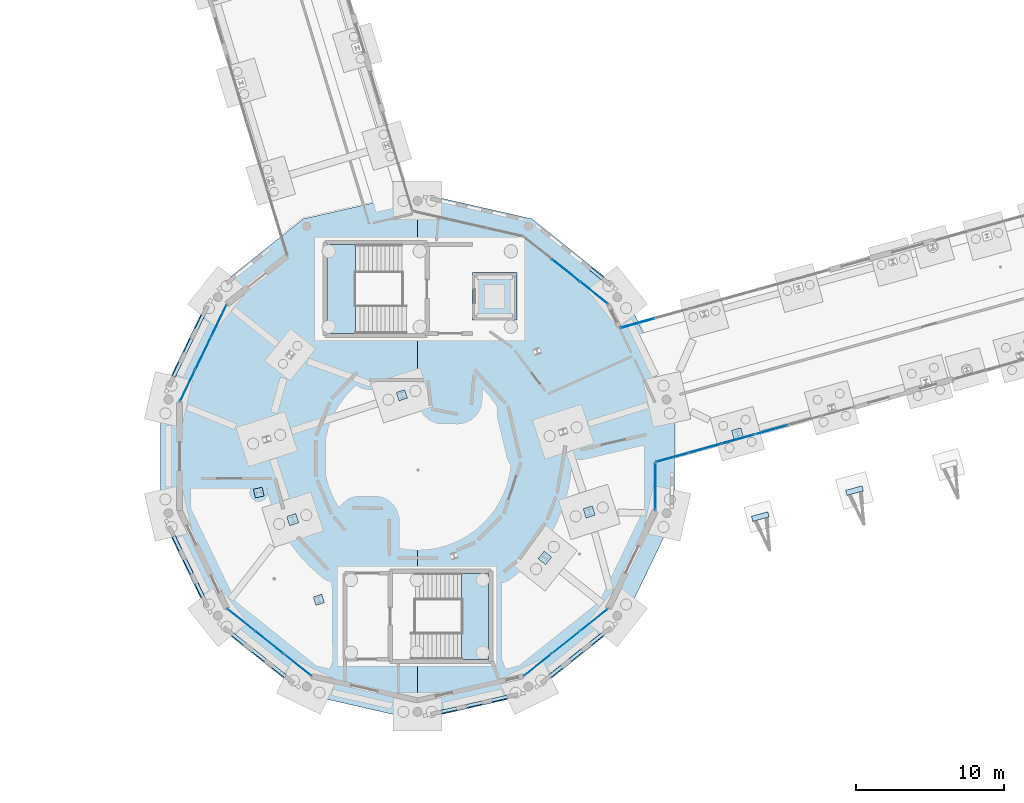
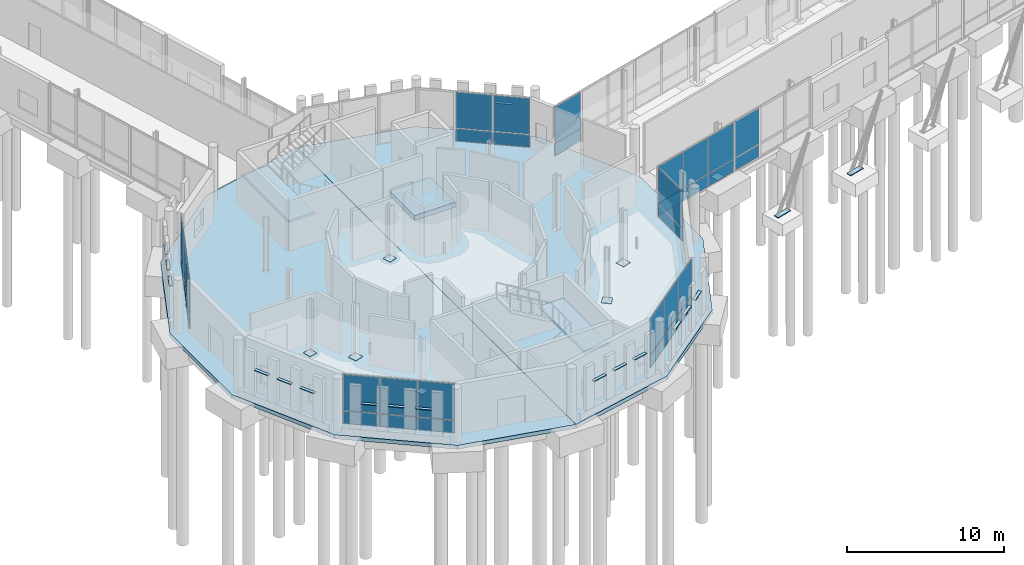
# One storey, part 63 of 113: 59 plates, 5 slabs, 10 elements without a shape of their own.
"""IFC4 building model written with IfcOpenShell, lengths in metres."""

import ifcopenshell
import ifcopenshell.guid

model = None  # the IFC model being written
_history = None  # IfcOwnerHistory: only IFC2X3 demands one
_inside = {}  # id of a spatial element -> (the spatial element, [elements in it])
_under = {}  # id of a project, library or spatial element -> (it, [spatial elements below it])
_declared = {}  # id of a project -> (the project, [libraries it declares])
_typed = {}  # id of a type object -> (the type object, [elements of that type])
_made_of = {}  # id of a material, layer set ... -> (it, [elements and type objects made of it])


def new_model(schema):
    """Start an empty IFC model of exactly this schema.

    Asked for "IFC4X3", IfcOpenShell would pick the latest addendum, in which some entities
    have other attributes; the version numbers below select the first issue.
    IFC2X3 requires an IfcOwnerHistory on every rooted entity: one is made here for all.
    """
    global model, _history
    if schema == "IFC4X3":
        model = ifcopenshell.file(schema_version=(4, 3, 0, 0))
    else:
        model = ifcopenshell.file(schema=schema)
    _inside.clear()
    _under.clear()
    _declared.clear()
    _typed.clear()
    _made_of.clear()
    _history = None
    if model.schema == "IFC2X3":
        org = make("IfcOrganization", Name="unknown")
        user = make(
            "IfcPersonAndOrganization",
            ThePerson=make("IfcPerson", FamilyName="unknown"),
            TheOrganization=org,
        )
        app = make(
            "IfcApplication",
            ApplicationDeveloper=org,
            Version="unknown",
            ApplicationFullName="unknown",
            ApplicationIdentifier="unknown",
        )
        _history = make(
            "IfcOwnerHistory",
            OwningUser=user,
            OwningApplication=app,
            ChangeAction="ADDED",
            CreationDate=0,
        )
    return model


def make(cls, **values):
    """One entity of the class cls with the attributes given. An attribute that is None is left unset."""
    return model.create_entity(
        cls, **{name: value for name, value in values.items() if value is not None}
    )


def rooted(cls, **values):
    """An entity with a GlobalId (a new one), such as an element, a storey or a relation."""
    return make(cls, GlobalId=ifcopenshell.guid.new(), OwnerHistory=_history, **values)


def si_unit(unit_type, name, prefix=None):
    """IfcSIUnit, for example si_unit("LENGTHUNIT", "METRE", prefix="MILLI")."""
    return make("IfcSIUnit", UnitType=unit_type, Prefix=prefix, Name=name)


def assignment(units):
    """IfcUnitAssignment: the units of a project."""
    return None if units is None else make("IfcUnitAssignment", Units=units)


def point(xyz):
    """IfcCartesianPoint."""
    return None if xyz is None else make("IfcCartesianPoint", Coordinates=xyz)


def direction(xyz):
    """IfcDirection."""
    return None if xyz is None else make("IfcDirection", DirectionRatios=xyz)


def frame(location, z_axis=None, x_axis=None):
    """IfcAxis2Placement3D, a coordinate frame: its origin and axes. An axis left out is left unset."""
    return make(
        "IfcAxis2Placement3D",
        Location=point(location),
        Axis=direction(z_axis),
        RefDirection=direction(x_axis),
    )


def frame_2d(location, x_axis=None):
    """IfcAxis2Placement2D, a coordinate frame in the plane: its origin and x axis."""
    return make(
        "IfcAxis2Placement2D", Location=point(location), RefDirection=direction(x_axis)
    )


def origin():
    """The frame at (0, 0, 0) with its axes left unset."""
    return frame((0.0, 0.0, 0.0))


def origin_2d():
    """The frame at (0, 0) in the plane with its x axis left unset."""
    return frame_2d((0.0, 0.0))


def place(relative_to, where):
    """IfcLocalPlacement: puts the frame where relative to a parent placement (None: the world)."""
    return make(
        "IfcLocalPlacement", PlacementRelTo=relative_to, RelativePlacement=where
    )


def context(
    kind, dimensions, precision=None, world=None, true_north=None, identifier=None
):
    """IfcGeometricRepresentationContext, for example the 3D "Model" context."""
    return make(
        "IfcGeometricRepresentationContext",
        ContextIdentifier=identifier,
        ContextType=kind,
        CoordinateSpaceDimension=dimensions,
        Precision=precision,
        WorldCoordinateSystem=world,
        TrueNorth=true_north,
    )


def subcontext(parent, identifier, kind, view, scale=None):
    """IfcGeometricRepresentationSubContext, for example "Body" below "Model"."""
    return make(
        "IfcGeometricRepresentationSubContext",
        ContextIdentifier=identifier,
        ContextType=kind,
        ParentContext=parent,
        TargetScale=scale,
        TargetView=view,
    )


def project(units=None, contexts=None):
    """IfcProject with its units and contexts."""
    return rooted(
        "IfcProject",
        Name="project",
        RepresentationContexts=contexts,
        UnitsInContext=assignment(units),
    )


def spatial(cls, under=None, at=None, **own):
    """A site, building, storey or space (cls), placed at a placement, below another one or the project."""
    s = rooted(cls, ObjectPlacement=at, **own)
    if under is not None:
        _under.setdefault(under.id(), (under, []))[1].append(s)
    return s


def polyline(points):
    """IfcPolyline through the points."""
    return make("IfcPolyline", Points=[point(p) for p in points])


def profile(cls, at=None, kind="AREA", **sizes):
    """A parametric profile (cls). Its sizes go by their IFC names, for example OverallWidth=200.0."""
    return make(cls, ProfileType=kind, Position=at, **sizes)


def rectangle(**sizes):
    """IfcRectangleProfileDef."""
    return profile("IfcRectangleProfileDef", **sizes)


def outline(outer, holes=None, kind="AREA"):
    """IfcArbitraryClosedProfileDef: a profile drawn as a closed curve; with holes, ...WithVoids."""
    if holes is None:
        return make("IfcArbitraryClosedProfileDef", ProfileType=kind, OuterCurve=outer)
    return make(
        "IfcArbitraryProfileDefWithVoids",
        ProfileType=kind,
        OuterCurve=outer,
        InnerCurves=holes,
    )


def extrude(swept, where, along, depth):
    """IfcExtrudedAreaSolid: the profile swept, set in the frame where, extruded along a direction by depth."""
    return make(
        "IfcExtrudedAreaSolid",
        SweptArea=swept,
        Position=where,
        ExtrudedDirection=direction(along),
        Depth=depth,
    )


def shape(context_of_items, identifier, shape_type, items):
    """IfcShapeRepresentation: the items that make up one representation, for example the "Body"."""
    return make(
        "IfcShapeRepresentation",
        ContextOfItems=context_of_items,
        RepresentationIdentifier=identifier,
        RepresentationType=shape_type,
        Items=items,
    )


def material(Name=None, Category=None):
    """IfcMaterial."""
    return make("IfcMaterial", Name=Name, Category=Category)


def layer(
    of_material, thickness, ventilated=None, Name=None, Category=None, Priority=None
):
    """IfcMaterialLayer: one layer of a wall or slab, of a material (None: an air gap)."""
    return make(
        "IfcMaterialLayer",
        Material=of_material,
        LayerThickness=thickness,
        IsVentilated=ventilated,
        Name=Name,
        Category=Category,
        Priority=Priority,
    )


def layer_set(layers, Name=None):
    """IfcMaterialLayerSet."""
    return make("IfcMaterialLayerSet", MaterialLayers=layers, LayerSetName=Name)


def made_of(thing, what):
    """Note that an element or type object is made of a material, layer set ...; save() writes the relation."""
    if what is not None:
        _made_of.setdefault(what.id(), (what, []))[1].append(thing)
    return thing


def type_object(cls, material=None, **own):
    """A type object (cls), such as IfcWallType, which elements share."""
    return made_of(rooted(cls, **own), material)


def element(
    cls,
    number,
    at=None,
    inside=None,
    cuts=None,
    type_object=None,
    material=None,
    context=None,
    identifier="Body",
    shape_type=None,
    held_by="IfcProductDefinitionShape",
    body=None,
    shapes=None,
    **own,
):
    """One element of the class cls, such as IfcWall. Its Tag is "e" and its number.

    at: its placement. inside: the storey or other place that contains it. cuts: it is an
    opening in that element (IfcRelVoidsElement). A single representation is given by context,
    identifier, shape_type and body (its items); several are given by shapes. held_by: the class
    of the entity that holds the representations. save() writes the other relations.
    """
    e = rooted(cls, Tag="e%d" % number, ObjectPlacement=at, **own)
    if body is not None:
        shapes = [shape(context, identifier, shape_type, body)]
    if shapes is not None:
        e.Representation = make(held_by, Representations=shapes)
    if inside is not None:
        _inside.setdefault(inside.id(), (inside, []))[1].append(e)
    if cuts is not None:
        rooted(
            "IfcRelVoidsElement", RelatingBuildingElement=cuts, RelatedOpeningElement=e
        )
    if type_object is not None:
        _typed.setdefault(type_object.id(), (type_object, []))[1].append(e)
    return made_of(e, material)


def aggregate(whole, parts):
    """IfcRelAggregates: a whole, such as a stair, and the parts it consists of."""
    return rooted("IfcRelAggregates", RelatingObject=whole, RelatedObjects=parts)


def save(model, path):
    """Write the relations noted so far, then the file.

    IfcRelAggregates (storeys below a building ...), IfcRelContainedInSpatialStructure (elements
    in a storey), IfcRelDefinesByType, IfcRelAssociatesMaterial and IfcRelDeclares: one each for
    every whole, place, type object, material and project.
    """
    for whole, parts in _under.values():
        aggregate(whole, parts)
    for where, things in _inside.values():
        rooted(
            "IfcRelContainedInSpatialStructure",
            RelatedElements=things,
            RelatingStructure=where,
        )
    for kind, things in _typed.values():
        rooted("IfcRelDefinesByType", RelatedObjects=things, RelatingType=kind)
    for what, things in _made_of.values():
        rooted("IfcRelAssociatesMaterial", RelatedObjects=things, RelatingMaterial=what)
    for by, libraries in _declared.values():
        rooted("IfcRelDeclares", RelatingContext=by, RelatedDefinitions=libraries)
    model.write(path)


model = new_model("IFC4")

# Units and contexts
model_context = context("Model", 3, precision=1e-05, world=origin(), true_north=direction((0.0, 1.0)))
body_context = subcontext(model_context, "Body", "Model", "MODEL_VIEW")
ifc_project = project(units=[si_unit("LENGTHUNIT", "METRE"), si_unit("AREAUNIT", "SQUARE_METRE"), si_unit("VOLUMEUNIT", "CUBIC_METRE"), si_unit("PLANEANGLEUNIT", "RADIAN"), si_unit("MASSUNIT", "GRAM", prefix="KILO")], contexts=[model_context])

# Site, building, storey
site_placement = place(None, origin())
site = spatial("IfcSite", under=ifc_project, at=site_placement, CompositionType="ELEMENT")
building_placement = place(site_placement, origin())
building = spatial("IfcBuilding", under=site, at=building_placement, Name="Wrenclough Park School", CompositionType="ELEMENT")
storey_placement = place(building_placement, origin())
storey = spatial("IfcBuildingStorey", under=building, at=storey_placement, Name="L00", CompositionType="ELEMENT", Elevation=0.0)

# Curtain wall, plates
ifc_material_1 = material(Name="Thermally broken aluminium and low-e glass curtain wall", Category="aluminium")
curtain_wall_type_1 = type_object("IfcCurtainWallType", Name="ENV-CW-13", PredefinedType="USERDEFINED", material=ifc_material_1)
curtain_wall_1_placement = place(storey_placement, origin())
curtain_wall_1 = element("IfcCurtainWall", 1, at=curtain_wall_1_placement, inside=storey, type_object=curtain_wall_type_1, Name="L00 recessed curtain wall assembly 044", ObjectType="CURTAIN WALL", PredefinedType="USERDEFINED")
ifc_material_2 = material(Name="Double-glazed solar-control low-e glass", Category="glass")
ifc_layer_1 = layer(ifc_material_2, 0.02587890625)
ifc_layer_set_1 = layer_set([ifc_layer_1], Name="Double-glazed solar-control low-e glass")
plate_type_1 = type_object("IfcPlateType", Name="ENV-CWP-GL26", PredefinedType="CURTAIN_PANEL", material=ifc_layer_set_1)
plate_1_placement = place(storey_placement, frame((48.410888671875, 12.4521484375, 0.06982421875), z_axis=(0.0, 0.0, 1.0), x_axis=(-0.781836181091, -0.623483909926, 0.0)))
plate_1 = element("IfcPlate", 2, at=plate_1_placement, type_object=plate_type_1, Name="CW-13 panel 1.1", PredefinedType="CURTAIN_PANEL", context=body_context, shape_type="SweptSolid", body=[
    extrude(rectangle(XDim=2.336669921875, YDim=0.02587890625, at=origin_2d()), origin(), (0.0, 0.0, 1.0), 0.945068359375),
])
plate_2_placement = place(storey_placement, frame((48.410888671875, 12.4521484375, 1.0849609375), z_axis=(0.0, 0.0, 1.0), x_axis=(-0.781836181091, -0.623483909926, 0.0)))
plate_2 = element("IfcPlate", 3, at=plate_2_placement, type_object=plate_type_1, Name="CW-13 panel 1.2", PredefinedType="CURTAIN_PANEL", context=body_context, shape_type="SweptSolid", body=[
    extrude(rectangle(XDim=2.336669921875, YDim=0.02587890625, at=origin_2d()), origin(), (0.0, 0.0, 1.0), 2.784912109375),
])
plate_3_placement = place(storey_placement, frame((46.515625, 10.940673828125, 0.06982421875), z_axis=(0.0, 0.0, 1.0), x_axis=(-0.781836181091, -0.623483909926, 0.0)))
plate_3 = element("IfcPlate", 4, at=plate_3_placement, type_object=plate_type_1, Name="CW-13 panel 2.1", PredefinedType="CURTAIN_PANEL", context=body_context, shape_type="SweptSolid", body=[
    extrude(rectangle(XDim=2.37158203125, YDim=0.02587890625, at=origin_2d()), origin(), (0.0, 0.0, 1.0), 0.945068359375),
])
plate_4_placement = place(storey_placement, frame((46.515625, 10.940673828125, 1.0849609375), z_axis=(0.0, 0.0, 1.0), x_axis=(-0.781836181091, -0.623483909926, 0.0)))
plate_4 = element("IfcPlate", 5, at=plate_4_placement, type_object=plate_type_1, Name="CW-13 panel 2.2", PredefinedType="CURTAIN_PANEL", context=body_context, shape_type="SweptSolid", body=[
    extrude(rectangle(XDim=2.37158203125, YDim=0.02587890625, at=origin_2d()), origin(), (0.0, 0.0, 1.0), 2.784912109375),
])
plate_5_placement = place(storey_placement, frame((44.620361328125, 9.429443359375, 0.06982421875), z_axis=(0.0, 0.0, 1.0), x_axis=(-0.781836181091, -0.623483909926, 0.0)))
plate_5 = element("IfcPlate", 6, at=plate_5_placement, type_object=plate_type_1, Name="CW-13 panel 3.1", PredefinedType="CURTAIN_PANEL", context=body_context, shape_type="SweptSolid", body=[
    extrude(rectangle(XDim=2.336669921875, YDim=0.02587890625, at=origin_2d()), origin(), (0.0, 0.0, 1.0), 0.945068359375),
])
plate_6_placement = place(storey_placement, frame((44.620361328125, 9.429443359375, 1.0849609375), z_axis=(0.0, 0.0, 1.0), x_axis=(-0.781836181091, -0.623483909926, 0.0)))
plate_6 = element("IfcPlate", 7, at=plate_6_placement, type_object=plate_type_1, Name="CW-13 panel 3.2", PredefinedType="CURTAIN_PANEL", context=body_context, shape_type="SweptSolid", body=[
    extrude(rectangle(XDim=2.336669921875, YDim=0.02587890625, at=origin_2d()), origin(), (0.0, 0.0, 1.0), 2.784912109375),
])
aggregate(curtain_wall_1, [plate_1, plate_2, plate_3, plate_4, plate_5, plate_6])

curtain_wall_type_2 = type_object("IfcCurtainWallType", Name="ENV-CW-02", PredefinedType="USERDEFINED", material=ifc_material_1)
curtain_wall_2_placement = place(storey_placement, origin())
curtain_wall_2 = element("IfcCurtainWall", 8, at=curtain_wall_2_placement, inside=storey, type_object=curtain_wall_type_2, Name="L00 recessed curtain wall assembly 001", ObjectType="CURTAIN WALL", PredefinedType="USERDEFINED")
ifc_material_3 = material(Name="Double-glazed acoustic low-e glass", Category="glass")
ifc_layer_2 = layer(ifc_material_3, 0.030029296875)
ifc_layer_set_2 = layer_set([ifc_layer_2], Name="Double-glazed acoustic low-e glass")
plate_type_2 = type_object("IfcPlateType", Name="ENV-CWP-GL30", PredefinedType="CURTAIN_PANEL", material=ifc_layer_set_2)
plate_7_placement = place(storey_placement, frame((28.380615234375, 9.4287109375, 0.06494140625), z_axis=(0.0, 0.0, 1.0), x_axis=(-0.781824218903, 0.623498909972, 0.0)))
plate_7 = element("IfcPlate", 9, at=plate_7_placement, type_object=plate_type_2, Name="CW-02 panel 1.1", PredefinedType="CURTAIN_PANEL", context=body_context, shape_type="SweptSolid", body=[
    extrude(rectangle(XDim=2.343994140625, YDim=0.030029296875, at=origin_2d()), origin(), (0.0, 0.0, 1.0), 0.952392578125),
])
plate_8_placement = place(storey_placement, frame((28.380615234375, 9.4287109375, 1.08251953125), z_axis=(0.0, 0.0, 1.0), x_axis=(-0.781824218903, 0.623498909972, 0.0)))
plate_8 = element("IfcPlate", 10, at=plate_8_placement, type_object=plate_type_2, Name="CW-02 panel 1.2", PredefinedType="CURTAIN_PANEL", context=body_context, shape_type="SweptSolid", body=[
    extrude(rectangle(XDim=2.343994140625, YDim=0.030029296875, at=origin_2d()), origin(), (0.0, 0.0, 1.0), 2.79248046875),
])
plate_9_placement = place(storey_placement, frame((26.484375, 10.94091796875, 0.06494140625), z_axis=(0.0, 0.0, 1.0), x_axis=(-0.781824218903, 0.623498909972, 0.0)))
plate_9 = element("IfcPlate", 11, at=plate_9_placement, type_object=plate_type_2, Name="CW-02 panel 2.1", PredefinedType="CURTAIN_PANEL", context=body_context, shape_type="SweptSolid", body=[
    extrude(rectangle(XDim=2.376708984375, YDim=0.030029296875, at=origin_2d()), origin(), (0.0, 0.0, 1.0), 0.952392578125),
])
plate_10_placement = place(storey_placement, frame((26.484375, 10.94091796875, 1.08251953125), z_axis=(0.0, 0.0, 1.0), x_axis=(-0.781824218903, 0.623498909972, 0.0)))
plate_10 = element("IfcPlate", 12, at=plate_10_placement, type_object=plate_type_2, Name="CW-02 panel 2.2", PredefinedType="CURTAIN_PANEL", context=body_context, shape_type="SweptSolid", body=[
    extrude(rectangle(XDim=2.376708984375, YDim=0.030029296875, at=origin_2d()), origin(), (0.0, 0.0, 1.0), 2.79248046875),
])
plate_11_placement = place(storey_placement, frame((24.588134765625, 12.452880859375, 0.06494140625), z_axis=(0.0, 0.0, 1.0), x_axis=(-0.781824218903, 0.623498909972, 0.0)))
plate_11 = element("IfcPlate", 13, at=plate_11_placement, type_object=plate_type_2, Name="CW-02 panel 3.1", PredefinedType="CURTAIN_PANEL", context=body_context, shape_type="SweptSolid", body=[
    extrude(rectangle(XDim=2.343994140625, YDim=0.030029296875, at=origin_2d()), origin(), (0.0, 0.0, 1.0), 0.952392578125),
])
plate_12_placement = place(storey_placement, frame((24.588134765625, 12.452880859375, 1.08251953125), z_axis=(0.0, 0.0, 1.0), x_axis=(-0.781824218903, 0.623498909972, 0.0)))
plate_12 = element("IfcPlate", 14, at=plate_12_placement, type_object=plate_type_2, Name="CW-02 panel 3.2", PredefinedType="CURTAIN_PANEL", context=body_context, shape_type="SweptSolid", body=[
    extrude(rectangle(XDim=2.343994140625, YDim=0.030029296875, at=origin_2d()), origin(), (0.0, 0.0, 1.0), 2.79248046875),
])
aggregate(curtain_wall_2, [plate_7, plate_8, plate_9, plate_10, plate_11, plate_12])

curtain_wall_type_3 = type_object("IfcCurtainWallType", Name="ENV-CW-10", PredefinedType="USERDEFINED", material=ifc_material_1)
curtain_wall_3_placement = place(storey_placement, origin())
curtain_wall_3 = element("IfcCurtainWall", 15, at=curtain_wall_3_placement, inside=storey, type_object=curtain_wall_type_3, Name="L00 recessed curtain wall assembly 041", ObjectType="CURTAIN WALL", PredefinedType="USERDEFINED")
plate_13_placement = place(storey_placement, frame((60.394775390625, 25.291259765625, 0.06982421875), z_axis=(0.0, 0.0, 1.0), x_axis=(-0.963399766486, -0.268068815671, 0.0)))
plate_13 = element("IfcPlate", 16, at=plate_13_placement, type_object=plate_type_2, Name="CW-10 panel 3.1", PredefinedType="CURTAIN_PANEL", context=body_context, shape_type="SweptSolid", body=[
    extrude(rectangle(XDim=2.208984375, YDim=0.030029296875, at=origin_2d()), origin(), (0.0, 0.0, 1.0), 0.945068359375),
])
plate_14_placement = place(storey_placement, frame((60.394775390625, 25.291259765625, 1.0849609375), z_axis=(0.0, 0.0, 1.0), x_axis=(-0.963399766486, -0.268068815671, 0.0)))
plate_14 = element("IfcPlate", 17, at=plate_14_placement, type_object=plate_type_2, Name="CW-10 panel 3.2", PredefinedType="CURTAIN_PANEL", context=body_context, shape_type="SweptSolid", body=[
    extrude(rectangle(XDim=2.208984375, YDim=0.030029296875, at=origin_2d()), origin(), (0.0, 0.0, 1.0), 2.784912109375),
])
aggregate(curtain_wall_3, [plate_13, plate_14])

curtain_wall_type_4 = type_object("IfcCurtainWallType", Name="ENV-CW-03", PredefinedType="USERDEFINED", material=ifc_material_1)
curtain_wall_4_placement = place(storey_placement, origin())
curtain_wall_4 = element("IfcCurtainWall", 18, at=curtain_wall_4_placement, inside=storey, type_object=curtain_wall_type_4, Name="L00 recessed curtain wall assembly 002", ObjectType="CURTAIN WALL", PredefinedType="USERDEFINED")
ifc_material_4 = material(Name="Triple-glazed senior-lab low-e glass", Category="glass")
ifc_layer_3 = layer(ifc_material_4, 0.033935546875)
ifc_layer_set_3 = layer_set([ifc_layer_3], Name="Triple-glazed senior-lab low-e glass")
plate_type_3 = type_object("IfcPlateType", Name="ENV-CWP-GL34", PredefinedType="CURTAIN_PANEL", material=ifc_layer_set_3)
plate_15_placement = place(storey_placement, frame((20.97509765625, 28.285888671875, 0.06982421875), z_axis=(0.0, 0.0, 1.0), x_axis=(0.433894837004, 0.900963523358, 0.0)))
plate_15 = element("IfcPlate", 19, at=plate_15_placement, type_object=plate_type_3, Name="CW-03 panel 1.1", PredefinedType="CURTAIN_PANEL", context=body_context, shape_type="SweptSolid", body=[
    extrude(rectangle(XDim=2.336669921875, YDim=0.033935546875, at=origin_2d()), origin(), (0.0, 0.0, 1.0), 0.945068359375),
])
plate_16_placement = place(storey_placement, frame((20.97509765625, 28.285888671875, 1.0849609375), z_axis=(0.0, 0.0, 1.0), x_axis=(0.433894837004, 0.900963523358, 0.0)))
plate_16 = element("IfcPlate", 20, at=plate_16_placement, type_object=plate_type_3, Name="CW-03 panel 1.2", PredefinedType="CURTAIN_PANEL", context=body_context, shape_type="SweptSolid", body=[
    extrude(rectangle(XDim=2.336669921875, YDim=0.033935546875, at=origin_2d()), origin(), (0.0, 0.0, 1.0), 2.784912109375),
])
plate_17_placement = place(storey_placement, frame((22.027099609375, 30.469970703125, 0.06982421875), z_axis=(0.0, 0.0, 1.0), x_axis=(0.433894837004, 0.900963523358, 0.0)))
plate_17 = element("IfcPlate", 21, at=plate_17_placement, type_object=plate_type_3, Name="CW-03 panel 2.1", PredefinedType="CURTAIN_PANEL", context=body_context, shape_type="SweptSolid", body=[
    extrude(rectangle(XDim=2.37158203125, YDim=0.033935546875, at=origin_2d()), origin(), (0.0, 0.0, 1.0), 0.945068359375),
])
plate_18_placement = place(storey_placement, frame((22.027099609375, 30.469970703125, 1.0849609375), z_axis=(0.0, 0.0, 1.0), x_axis=(0.433894837004, 0.900963523358, 0.0)))
plate_18 = element("IfcPlate", 22, at=plate_18_placement, type_object=plate_type_3, Name="CW-03 panel 2.2", PredefinedType="CURTAIN_PANEL", context=body_context, shape_type="SweptSolid", body=[
    extrude(rectangle(XDim=2.37158203125, YDim=0.033935546875, at=origin_2d()), origin(), (0.0, 0.0, 1.0), 2.784912109375),
])
plate_19_placement = place(storey_placement, frame((23.078857421875, 32.654052734375, 0.06982421875), z_axis=(0.0, 0.0, 1.0), x_axis=(0.433894837004, 0.900963523358, 0.0)))
plate_19 = element("IfcPlate", 23, at=plate_19_placement, type_object=plate_type_3, Name="CW-03 panel 3.1", PredefinedType="CURTAIN_PANEL", context=body_context, shape_type="SweptSolid", body=[
    extrude(rectangle(XDim=2.336669921875, YDim=0.033935546875, at=origin_2d()), origin(), (0.0, 0.0, 1.0), 0.945068359375),
])
plate_20_placement = place(storey_placement, frame((23.078857421875, 32.654052734375, 1.0849609375), z_axis=(0.0, 0.0, 1.0), x_axis=(0.433894837004, 0.900963523358, 0.0)))
plate_20 = element("IfcPlate", 24, at=plate_20_placement, type_object=plate_type_3, Name="CW-03 panel 3.2", PredefinedType="CURTAIN_PANEL", context=body_context, shape_type="SweptSolid", body=[
    extrude(rectangle(XDim=2.336669921875, YDim=0.033935546875, at=origin_2d()), origin(), (0.0, 0.0, 1.0), 2.784912109375),
])
aggregate(curtain_wall_4, [plate_15, plate_16, plate_17, plate_18, plate_19, plate_20])

curtain_wall_type_5 = type_object("IfcCurtainWallType", Name="ENV-CW-11", PredefinedType="USERDEFINED", material=ifc_material_1)
curtain_wall_5_placement = place(storey_placement, origin())
curtain_wall_5 = element("IfcCurtainWall", 25, at=curtain_wall_5_placement, inside=storey, type_object=curtain_wall_type_5, Name="L00 recessed curtain wall assembly 042", ObjectType="CURTAIN WALL", PredefinedType="USERDEFINED")
plate_21_placement = place(storey_placement, frame((58.126220703125, 24.659912109375, 0.06005859375), z_axis=(0.0, 0.0, 1.0), x_axis=(-0.963398731282, -0.268072536011, 0.0)))
plate_21 = element("IfcPlate", 26, at=plate_21_placement, type_object=plate_type_3, Name="CW-11 panel 1.1", PredefinedType="CURTAIN_PANEL", context=body_context, shape_type="SweptSolid", body=[
    extrude(rectangle(XDim=2.223876953125, YDim=0.033935546875, at=origin_2d()), origin(), (0.0, 0.0, 1.0), 0.9599609375),
])
plate_22_placement = place(storey_placement, frame((58.126220703125, 24.659912109375, 1.080078125), z_axis=(0.0, 0.0, 1.0), x_axis=(-0.963398731282, -0.268072536011, 0.0)))
plate_22 = element("IfcPlate", 27, at=plate_22_placement, type_object=plate_type_3, Name="CW-11 panel 1.2", PredefinedType="CURTAIN_PANEL", context=body_context, shape_type="SweptSolid", body=[
    extrude(rectangle(XDim=2.223876953125, YDim=0.033935546875, at=origin_2d()), origin(), (0.0, 0.0, 1.0), 2.800048828125),
])
plate_23_placement = place(storey_placement, frame((55.91162109375, 24.043701171875, 0.06005859375), z_axis=(0.0, 0.0, 1.0), x_axis=(-0.963398731282, -0.268072536011, 0.0)))
plate_23 = element("IfcPlate", 28, at=plate_23_placement, type_object=plate_type_3, Name="CW-11 panel 2.1", PredefinedType="CURTAIN_PANEL", context=body_context, shape_type="SweptSolid", body=[
    extrude(rectangle(XDim=2.25390625, YDim=0.033935546875, at=origin_2d()), origin(), (0.0, 0.0, 1.0), 0.9599609375),
])
plate_24_placement = place(storey_placement, frame((55.91162109375, 24.043701171875, 1.080078125), z_axis=(0.0, 0.0, 1.0), x_axis=(-0.963398731282, -0.268072536011, 0.0)))
plate_24 = element("IfcPlate", 29, at=plate_24_placement, type_object=plate_type_3, Name="CW-11 panel 2.2", PredefinedType="CURTAIN_PANEL", context=body_context, shape_type="SweptSolid", body=[
    extrude(rectangle(XDim=2.25390625, YDim=0.033935546875, at=origin_2d()), origin(), (0.0, 0.0, 1.0), 2.800048828125),
])
plate_25_placement = place(storey_placement, frame((53.69677734375, 23.427490234375, 0.06005859375), z_axis=(0.0, 0.0, 1.0), x_axis=(-0.963398731282, -0.268072536011, 0.0)))
plate_25 = element("IfcPlate", 30, at=plate_25_placement, type_object=plate_type_3, Name="CW-11 panel 3.1", PredefinedType="CURTAIN_PANEL", context=body_context, shape_type="SweptSolid", body=[
    extrude(rectangle(XDim=2.223876953125, YDim=0.033935546875, at=origin_2d()), origin(), (0.0, 0.0, 1.0), 0.9599609375),
])
plate_26_placement = place(storey_placement, frame((53.69677734375, 23.427490234375, 1.080078125), z_axis=(0.0, 0.0, 1.0), x_axis=(-0.963398731282, -0.268072536011, 0.0)))
plate_26 = element("IfcPlate", 31, at=plate_26_placement, type_object=plate_type_3, Name="CW-11 panel 3.2", PredefinedType="CURTAIN_PANEL", context=body_context, shape_type="SweptSolid", body=[
    extrude(rectangle(XDim=2.223876953125, YDim=0.033935546875, at=origin_2d()), origin(), (0.0, 0.0, 1.0), 2.800048828125),
])
aggregate(curtain_wall_5, [plate_21, plate_22, plate_23, plate_24, plate_25, plate_26])

curtain_wall_type_6 = type_object("IfcCurtainWallType", Name="ENV-CW-12", PredefinedType="USERDEFINED", material=ifc_material_1)
curtain_wall_6_placement = place(storey_placement, origin())
curtain_wall_6 = element("IfcCurtainWall", 32, at=curtain_wall_6_placement, inside=storey, type_object=curtain_wall_type_6, Name="L00 recessed curtain wall assembly 043", ObjectType="CURTAIN WALL", PredefinedType="USERDEFINED")
ifc_material_5 = material(Name="Laminated sports-concourse safety glass", Category="glass")
ifc_layer_4 = layer(ifc_material_5, 0.0380859375)
ifc_layer_set_4 = layer_set([ifc_layer_4], Name="Laminated sports-concourse safety glass")
plate_type_4 = type_object("IfcPlateType", Name="ENV-CWP-GL38", PredefinedType="CURTAIN_PANEL", material=ifc_layer_set_4)
plate_27_placement = place(storey_placement, frame((52.563720703125, 21.472900390625, 0.06494140625), z_axis=(0.0, 0.0, 1.0), x_axis=(0.0, -1.0, 0.0)))
plate_27 = element("IfcPlate", 33, at=plate_27_placement, type_object=plate_type_4, Name="CW-12 panel 1.1", PredefinedType="CURTAIN_PANEL", context=body_context, shape_type="SweptSolid", body=[
    extrude(rectangle(XDim=3.140625, YDim=0.0380859375, at=origin_2d()), origin(), (0.0, 0.0, 1.0), 0.952392578125),
])
plate_28_placement = place(storey_placement, frame((52.563720703125, 21.472900390625, 1.08251953125), z_axis=(0.0, 0.0, 1.0), x_axis=(0.0, -1.0, 0.0)))
plate_28 = element("IfcPlate", 34, at=plate_28_placement, type_object=plate_type_4, Name="CW-12 panel 1.2", PredefinedType="CURTAIN_PANEL", context=body_context, shape_type="SweptSolid", body=[
    extrude(rectangle(XDim=3.140625, YDim=0.0380859375, at=origin_2d()), origin(), (0.0, 0.0, 1.0), 2.79248046875),
])
aggregate(curtain_wall_6, [plate_27, plate_28])

curtain_wall_type_7 = type_object("IfcCurtainWallType", Name="ENV-CW-15", PredefinedType="USERDEFINED", material=ifc_material_1)
curtain_wall_7_placement = place(storey_placement, origin())
curtain_wall_7 = element("IfcCurtainWall", 35, at=curtain_wall_7_placement, inside=storey, type_object=curtain_wall_type_7, Name="L00 recessed curtain wall assembly 046", ObjectType="CURTAIN WALL", PredefinedType="USERDEFINED")
ifc_material_6 = material(Name="Insulated patinated copper-toned spandrel panel", Category="aluminium")
ifc_layer_5 = layer(ifc_material_6, 0.048095703125)
ifc_layer_set_5 = layer_set([ifc_layer_5], Name="Insulated patinated copper-toned spandrel panel")
plate_type_5 = type_object("IfcPlateType", Name="ENV-CWP-SP48", PredefinedType="CURTAIN_PANEL", material=ifc_layer_set_5)
plate_29_placement = place(storey_placement, frame((46.515625, 36.05908203125, 0.06494140625), z_axis=(0.0, 0.0, 1.0), x_axis=(0.781824218903, -0.623498909972, 0.0)))
plate_29 = element("IfcPlate", 36, at=plate_29_placement, type_object=plate_type_5, Name="CW-15 panel 2.1", PredefinedType="CURTAIN_PANEL", context=body_context, shape_type="SweptSolid", body=[
    extrude(rectangle(XDim=2.376708984375, YDim=0.048095703125, at=origin_2d()), origin(), (0.0, 0.0, 1.0), 0.952392578125),
])
plate_30_placement = place(storey_placement, frame((46.515625, 36.05908203125, 1.08251953125), z_axis=(0.0, 0.0, 1.0), x_axis=(0.781824218903, -0.623498909972, 0.0)))
plate_30 = element("IfcPlate", 37, at=plate_30_placement, type_object=plate_type_5, Name="CW-15 panel 2.2", PredefinedType="CURTAIN_PANEL", context=body_context, shape_type="SweptSolid", body=[
    extrude(rectangle(XDim=2.376708984375, YDim=0.048095703125, at=origin_2d()), origin(), (0.0, 0.0, 1.0), 2.79248046875),
])
plate_31_placement = place(storey_placement, frame((48.411865234375, 34.547119140625, 0.06494140625), z_axis=(0.0, 0.0, 1.0), x_axis=(0.781824218903, -0.623498909972, 0.0)))
plate_31 = element("IfcPlate", 38, at=plate_31_placement, type_object=plate_type_5, Name="CW-15 panel 3.1", PredefinedType="CURTAIN_PANEL", context=body_context, shape_type="SweptSolid", body=[
    extrude(rectangle(XDim=2.343994140625, YDim=0.048095703125, at=origin_2d()), origin(), (0.0, 0.0, 1.0), 0.952392578125),
])
plate_32_placement = place(storey_placement, frame((48.411865234375, 34.547119140625, 1.08251953125), z_axis=(0.0, 0.0, 1.0), x_axis=(0.781824218903, -0.623498909972, 0.0)))
plate_32 = element("IfcPlate", 39, at=plate_32_placement, type_object=plate_type_5, Name="CW-15 panel 3.2", PredefinedType="CURTAIN_PANEL", context=body_context, shape_type="SweptSolid", body=[
    extrude(rectangle(XDim=2.343994140625, YDim=0.048095703125, at=origin_2d()), origin(), (0.0, 0.0, 1.0), 2.79248046875),
])
aggregate(curtain_wall_7, [plate_29, plate_30, plate_31, plate_32])

curtain_wall_type_8 = type_object("IfcCurtainWallType", Name="ENV-CW-16", PredefinedType="USERDEFINED", material=ifc_material_1)
curtain_wall_8_placement = place(storey_placement, origin())
curtain_wall_8 = element("IfcCurtainWall", 40, at=curtain_wall_8_placement, inside=storey, type_object=curtain_wall_type_8, Name="L00 recessed curtain wall assembly 047", ObjectType="CURTAIN WALL", PredefinedType="USERDEFINED")
ifc_material_7 = material(Name="Acoustic mineral-wool spandrel cassette", Category="aluminium")
ifc_layer_6 = layer(ifc_material_7, 0.053955078125)
ifc_layer_set_6 = layer_set([ifc_layer_6], Name="Acoustic mineral-wool spandrel cassette")
plate_type_6 = type_object("IfcPlateType", Name="ENV-CWP-SP54", PredefinedType="CURTAIN_PANEL", material=ifc_layer_set_6)
plate_33_placement = place(storey_placement, frame((51.357421875, 32.491943359375, 0.06982421875), z_axis=(0.0, 0.0, 1.0), x_axis=(0.963398773592, 0.268072383958, 0.0)))
plate_33 = element("IfcPlate", 41, at=plate_33_placement, type_object=plate_type_6, Name="CW-16 panel 1.1", PredefinedType="CURTAIN_PANEL", context=body_context, shape_type="SweptSolid", body=[
    extrude(rectangle(XDim=2.338134765625, YDim=0.053955078125, at=origin_2d()), origin(), (0.0, 0.0, 1.0), 0.945068359375),
])
plate_34_placement = place(storey_placement, frame((51.357421875, 32.491943359375, 1.0849609375), z_axis=(0.0, 0.0, 1.0), x_axis=(0.963398773592, 0.268072383958, 0.0)))
plate_34 = element("IfcPlate", 42, at=plate_34_placement, type_object=plate_type_6, Name="CW-16 panel 1.2", PredefinedType="CURTAIN_PANEL", context=body_context, shape_type="SweptSolid", body=[
    extrude(rectangle(XDim=2.338134765625, YDim=0.053955078125, at=origin_2d()), origin(), (0.0, 0.0, 1.0), 2.784912109375),
])
aggregate(curtain_wall_8, [plate_33, plate_34])

# Plates
ifc_material_8 = material(Name="Anodised architectural aluminium solar shading fin plate", Category="aluminium")
ifc_layer_7 = layer(ifc_material_8, 0.0380859375)
ifc_layer_set_7 = layer_set([ifc_layer_7], Name="Anodised architectural aluminium solar shading fin plate")
plate_type_7 = type_object("IfcPlateType", Name="ENV-PL-BSF", PredefinedType="SHEET", material=ifc_layer_set_7)
plate_35_placement = place(storey_placement, frame((48.585205078125, 35.828369140625, 2.4951171875), z_axis=(0.0, 0.0, 1.0), x_axis=(-0.781825784379, 0.623496946969, 0.0)))
element("IfcPlate", 43, at=plate_35_placement, inside=storey, type_object=plate_type_7, Name="D2 L00 open-bond brick screen tie band 0041", PredefinedType="SHEET", context=body_context, shape_type="SweptSolid", body=[
    extrude(rectangle(XDim=1.072021484375, YDim=0.219970703125, at=origin_2d()), origin(), (0.0, 0.0, 1.0), 0.0419921875),
])
for number, where, z_axis, x_axis, name in (
    (44, (21.791259765625, 32.538330078125, 2.4951171875), (0.0, 0.0, 1.0), (-0.433870232106, -0.900975372412, 0.0), "D2 L00 open-bond brick screen tie band 0048"),
    (45, (21.02685546875, 30.951171875, 2.4951171875), (0.0, 0.0, 1.0), (-0.433870232106, -0.900975372412, 0.0), "D2 L00 open-bond brick screen tie band 0049"),
    (46, (20.2626953125, 29.36376953125, 2.4951171875), (0.0, 0.0, 1.0), (-0.433870232106, -0.900975372412, 0.0), "D2 L00 open-bond brick screen tie band 0050"),
    (47, (20.2626953125, 17.63623046875, 2.4951171875), (0.0, 0.0, 1.0), (0.433881751488, -0.900969825092, 0.0), "D2 L00 open-bond brick screen tie band 0051"),
    (48, (21.02685546875, 16.048828125, 2.4951171875), (0.0, 0.0, 1.0), (0.433881751488, -0.900969825092, 0.0), "D2 L00 open-bond brick screen tie band 0052"),
    (49, (21.79150390625, 14.461669921875, 2.4951171875), (0.0, 0.0, 1.0), (0.433881751488, -0.900969825092, 0.0), "D2 L00 open-bond brick screen tie band 0053"),
    (50, (24.414794921875, 11.171630859375, 2.4951171875), (0.0, 0.0, 1.0), (0.781827272043, -0.623495081528, 0.0), "D2 L00 open-bond brick screen tie band 0054"),
    (51, (25.7919921875, 10.0732421875, 2.4951171875), (0.0, 0.0, 1.0), (0.781827272043, -0.623495081528, 0.0), "D2 L00 open-bond brick screen tie band 0055"),
    (52, (27.16943359375, 8.974853515625, 2.4951171875), (0.0, 0.0, 1.0), (0.781827272043, -0.623495081528, 0.0), "D2 L00 open-bond brick screen tie band 0056"),
):
    element("IfcPlate", number, at=place(storey_placement, frame(where, z_axis=z_axis, x_axis=x_axis)), inside=storey, type_object=plate_type_7, Name=name, PredefinedType="SHEET", context=body_context, shape_type="SweptSolid", body=[
        extrude(rectangle(XDim=1.07177734375, YDim=0.219970703125, at=origin_2d()), origin(), (0.0, 0.0, 1.0), 0.0419921875),
    ])
for number, where, z_axis, x_axis, name in (
    (53, (38.603759765625, 6.36474609375, 2.4951171875), (0.0, 0.0, 1.0), (0.974926809846, 0.222525763552, 0.0), "D2 L00 open-bond brick screen tie band 0057"),
    (54, (40.3212890625, 6.7568359375, 2.4951171875), (0.0, 0.0, 1.0), (0.974926809846, 0.222525763552, 0.0), "D2 L00 open-bond brick screen tie band 0058"),
    (55, (42.038818359375, 7.148681640625, 2.4951171875), (0.0, 0.0, 1.0), (0.974926809846, 0.222525763552, 0.0), "D2 L00 open-bond brick screen tie band 0059"),
):
    element("IfcPlate", number, at=place(storey_placement, frame(where, z_axis=z_axis, x_axis=x_axis)), inside=storey, type_object=plate_type_7, Name=name, PredefinedType="SHEET", context=body_context, shape_type="SweptSolid", body=[
        extrude(rectangle(XDim=1.071533203125, YDim=0.219970703125, at=origin_2d()), origin(), (0.0, 0.0, 1.0), 0.0419921875),
    ])
for number, where, z_axis, x_axis, name in (
    (56, (45.830078125, 8.974365234375, 2.4951171875), (0.0, 0.0, 1.0), (0.781832700782, 0.623488274139, 0.0), "D2 L00 open-bond brick screen tie band 0060"),
    (57, (47.207763671875, 10.072998046875, 2.4951171875), (0.0, 0.0, 1.0), (0.781832700782, 0.623488274139, 0.0), "D2 L00 open-bond brick screen tie band 0061"),
    (58, (48.585205078125, 11.17138671875, 2.4951171875), (0.0, 0.0, 1.0), (0.781832700782, 0.623488274139, 0.0), "D2 L00 open-bond brick screen tie band 0062"),
):
    element("IfcPlate", number, at=place(storey_placement, frame(where, z_axis=z_axis, x_axis=x_axis)), inside=storey, type_object=plate_type_7, Name=name, PredefinedType="SHEET", context=body_context, shape_type="SweptSolid", body=[
        extrude(rectangle(XDim=1.072021484375, YDim=0.219970703125, at=origin_2d()), origin(), (0.0, 0.0, 1.0), 0.0419921875),
    ])

# Stair, slab
ifc_material_9 = material(Name="Precast concrete C40/50", Category="concrete")
stair_type_1 = type_object("IfcStairType", Name="INT-ST-190-42", PredefinedType="HALF_TURN_STAIR", material=ifc_material_9)
stair_1_placement = place(storey_placement, origin())
stair_1 = element("IfcStair", 59, at=stair_1_placement, inside=storey, type_object=stair_type_1, Name="L00 escape stair ST-02", PredefinedType="HALF_TURN_STAIR")
ifc_layer_8 = layer(ifc_material_9, 0.195068359375)
ifc_layer_set_8 = layer_set([ifc_layer_8], Name="Precast concrete C40/50")
slab_type_1 = type_object("IfcSlabType", Name="INT-SL-LAND195", PredefinedType="LANDING", material=ifc_layer_set_8)
slab_1_placement = place(storey_placement, frame((0.0, 0.0, 1.989013671875)))
slab_1 = element("IfcSlab", 60, at=slab_1_placement, type_object=slab_type_1, Name="ST-02 landing 1", PredefinedType="LANDING", context=body_context, shape_type="SweptSolid", body=[
    extrude(outline(polyline([(30.39990234375, 31.800048828125), (32.322998046875, 31.800048828125), (32.322998046875, 37.800048828125), (30.39990234375, 37.800048828125), (30.39990234375, 31.800048828125)])), origin(), (0.0, 0.0, 1.0), 0.195068359375),
])
aggregate(stair_1, [slab_1])

stair_type_2 = type_object("IfcStairType", Name="INT-ST-180-42", PredefinedType="HALF_TURN_STAIR", material=ifc_material_9)
stair_2_placement = place(storey_placement, origin())
stair_2 = element("IfcStair", 61, at=stair_2_placement, inside=storey, type_object=stair_type_2, Name="L00 escape stair ST-13", PredefinedType="HALF_TURN_STAIR")
slab_2_placement = place(storey_placement, frame((0.0, 0.0, 1.989013671875)))
slab_2 = element("IfcSlab", 62, at=slab_2_placement, type_object=slab_type_1, Name="ST-13 landing 1", PredefinedType="LANDING", context=body_context, shape_type="SweptSolid", body=[
    extrude(outline(polyline([(39.47705078125, 9.800048828125), (41.300048828125, 9.800048828125), (41.300048828125, 15.60009765625), (39.47705078125, 15.60009765625), (39.47705078125, 9.800048828125)])), origin(), (0.0, 0.0, 1.0), 0.195068359375),
])
aggregate(stair_2, [slab_2])

# Plates
ifc_material_10 = material(Name="Structural steel S355", Category="steel")
ifc_layer_9 = layer(ifc_material_10, 0.031982421875)
ifc_layer_set_9 = layer_set([ifc_layer_9], Name="Structural steel S355")
plate_type_8 = type_object("IfcPlateType", Name="STR-PL-BP1", PredefinedType="SHEET", material=ifc_layer_set_9)
for number, where, z_axis, x_axis, name in (
    (63, (28.06982421875, 19.2333984375, 0.0), (0.0, 0.0, 1.0), (0.951056516295, 0.309016994375, 0.0), "Steel column baseplate D2HR-0-1"),
    (64, (48.091552734375, 19.74560546875, 0.0), (0.0, 0.0, 1.0), (0.951056516295, 0.309016994375, 0.0), "Steel column baseplate D2HR-2-0"),
    (65, (58.099609375, 25.0224609375, 0.0), (0.0, 0.0, 1.0), (0.964002648928, 0.265892634084, 0.0), "Steel column baseplate EAVE-ENTRANCE-F1"),
    (66, (45.10009765625, 16.6416015625, 0.0), (0.0, 0.0, 1.0), (0.623470308046, 0.781847027868, 0.0), "Steel column baseplate D2-MID-13"),
):
    element("IfcPlate", number, at=place(storey_placement, frame(where, z_axis=z_axis, x_axis=x_axis)), inside=storey, type_object=plate_type_8, Name=name, PredefinedType="SHEET", context=body_context, shape_type="SweptSolid", body=[
        extrude(rectangle(XDim=0.64990234375, YDim=0.64990234375, at=origin_2d()), origin(), (0.0, 0.0, 1.0), 0.031982421875),
    ])
ifc_layer_10 = layer(ifc_material_10, 0.030029296875)
ifc_layer_set_10 = layer_set([ifc_layer_10], Name="Structural steel S355")
plate_type_9 = type_object("IfcPlateType", Name="STR-PL-BP4", PredefinedType="SHEET", material=ifc_layer_set_10)
for number, where, z_axis, x_axis, name in (
    (67, (29.831298828125, 13.8125, 0.0), (0.0, 0.0, 1.0), (0.951056516295, 0.309016994375, 0.0), "Steel column baseplate D2HR-0-0"),
    (68, (35.438720703125, 27.62109375, 0.0), (0.0, 0.0, 1.0), (0.951056516295, 0.309016994375, 0.0), "Steel column baseplate D2HR-1-2"),
    (69, (25.77587890625, 21.05224609375, 0.0), (0.0, 0.0, 1.0), (0.222569549971, -0.974916814618, 0.0), "Steel column baseplate D2-MID-08"),
):
    element("IfcPlate", number, at=place(storey_placement, frame(where, z_axis=z_axis, x_axis=x_axis)), inside=storey, type_object=plate_type_9, Name=name, PredefinedType="SHEET", context=body_context, shape_type="SweptSolid", body=[
        extrude(rectangle(XDim=0.60009765625, YDim=0.60009765625, at=origin_2d()), origin(), (0.0, 0.0, 1.0), 0.030029296875),
    ])
ifc_layer_11 = layer(ifc_material_10, 0.02001953125)
ifc_layer_set_11 = layer_set([ifc_layer_11], Name="Structural steel S355")
plate_type_10 = type_object("IfcPlateType", Name="STR-PL-EP3", PredefinedType="SHEET", material=ifc_layer_set_11)
for number, where, z_axis, x_axis, name in (
    (70, (59.641845703125, 19.431396484375, 0.0), (0.0, 0.0, 1.0), (0.964002648928, 0.265892634084, 0.0), "EAVE-ENTRANCE raking strut baseplate 1"),
    (71, (66.00439453125, 21.18603515625, 0.0), (0.0, 0.0, 1.0), (0.964002648928, 0.265892634084, 0.0), "EAVE-ENTRANCE raking strut baseplate 2"),
):
    element("IfcPlate", number, at=place(storey_placement, frame(where, z_axis=z_axis, x_axis=x_axis)), inside=storey, type_object=plate_type_10, Name=name, PredefinedType="SHEET", context=body_context, shape_type="SweptSolid", body=[
        extrude(rectangle(XDim=1.14990234375, YDim=0.360107421875, at=origin_2d()), origin(), (0.0, 0.0, 1.0), 0.055908203125),
    ])

# Slabs
ifc_material_11 = material(Name="Concrete C35/45", Category="concrete")
ifc_layer_12 = layer(ifc_material_11, 0.300048828125)
ifc_layer_set_12 = layer_set([ifc_layer_12], Name="Concrete C35/45")
slab_type_2 = type_object("IfcSlabType", Name="STR-SL-BASE300", PredefinedType="BASESLAB", material=ifc_layer_set_12)
slab_3_placement = place(storey_placement, frame((0.0, 0.0, -0.300048828125)))
element("IfcSlab", 72, at=slab_3_placement, inside=storey, type_object=slab_type_2, Name="D2 L00 structural slab SLAB-D2-L00-W", PredefinedType="BASESLAB", context=body_context, shape_type="SweptSolid", body=[
    extrude(outline(polyline([(28.77685546875, 7.462890625), (36.493896484375, 5.701416015625), (36.493896484375, 41.298583984375), (28.77685546875, 39.537353515625), (22.58349609375, 34.59814453125), (19.146240234375, 27.4609375), (19.146240234375, 19.539306640625), (22.58349609375, 12.40185546875), (28.77685546875, 7.462890625)])), origin(), (0.0, 0.0, 1.0), 0.300048828125),
])
slab_4_placement = place(storey_placement, frame((0.0, 0.0, -0.300048828125)))
element("IfcSlab", 73, at=slab_4_placement, inside=storey, type_object=slab_type_2, Name="D2 L00 structural slab SLAB-D2-L00-E", PredefinedType="BASESLAB", context=body_context, shape_type="SweptSolid", body=[
    extrude(outline(polyline([(44.22314453125, 39.537109375), (36.506103515625, 41.298583984375), (36.506103515625, 5.701416015625), (44.22314453125, 7.462646484375), (50.41650390625, 12.40185546875), (53.853759765625, 19.5390625), (53.853759765625, 27.460693359375), (50.41650390625, 34.59814453125), (44.22314453125, 39.537109375)])), origin(), (0.0, 0.0, 1.0), 0.300048828125),
])
ifc_material_12 = material(Name="Concrete C40/50", Category="concrete")
ifc_layer_13 = layer(ifc_material_12, 0.39990234375)
ifc_layer_set_13 = layer_set([ifc_layer_13], Name="Concrete C40/50")
slab_type_3 = type_object("IfcSlabType", Name="STR-SL-PIT400", PredefinedType="BASESLAB", material=ifc_layer_set_13)
slab_5_placement = place(storey_placement, frame((0.0, 0.0, -1.800048828125)))
element("IfcSlab", 74, at=slab_5_placement, inside=storey, type_object=slab_type_3, Name="Lift LFT-04 reinforced concrete pit slab", PredefinedType="BASESLAB", context=body_context, shape_type="SweptSolid", body=[
    extrude(outline(polyline([(40.199951171875, 32.699951171875), (43.199951171875, 32.699951171875), (43.199951171875, 35.89990234375), (40.199951171875, 35.89990234375), (40.199951171875, 32.699951171875)])), origin(), (0.0, 0.0, 1.0), 0.400146484375),
])

save(model, "model.ifc")
